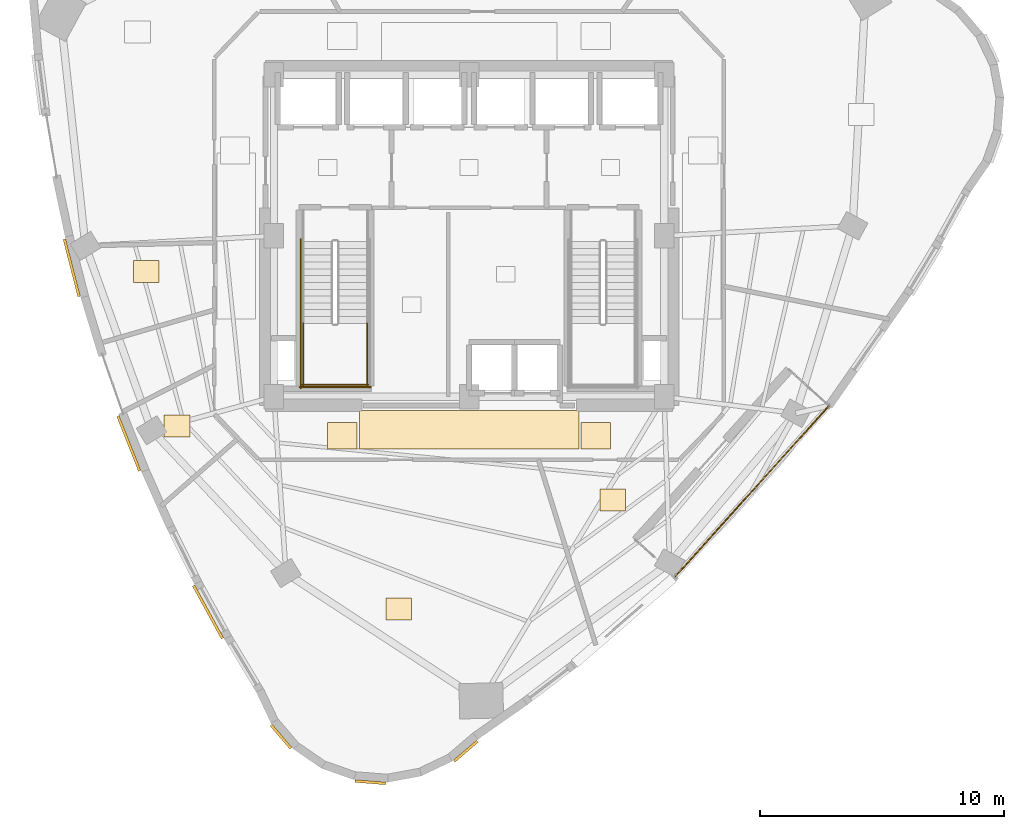
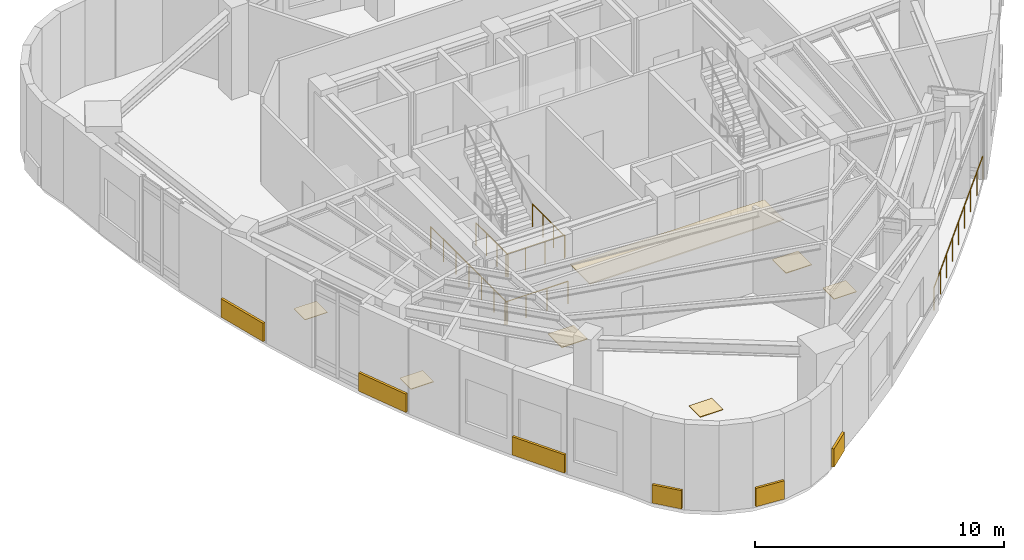
# One storey, part 16 of 18: 13 coverings, 6 railings.
"""IFC4 building model written with IfcOpenShell, lengths in metres."""

from ifc_helpers import new_model, si_unit, direction, frame, origin, origin_2d, place, context, subcontext, project, spatial, rectangle, circle, extrude, material, layer, layer_set, type_object, element, save


model = new_model("IFC4")

# Units and contexts
model_context = context("Model", 3, precision=1e-05, world=origin(), true_north=direction((0.0, 1.0)))
body_context = subcontext(model_context, "Body", "Model", "MODEL_VIEW")
ifc_project = project(units=[si_unit("LENGTHUNIT", "METRE"), si_unit("AREAUNIT", "SQUARE_METRE"), si_unit("VOLUMEUNIT", "CUBIC_METRE"), si_unit("PLANEANGLEUNIT", "RADIAN"), si_unit("MASSUNIT", "GRAM", prefix="KILO")], contexts=[model_context])

# Site, building, storey
site_placement = place(None, origin())
site = spatial("IfcSite", under=ifc_project, at=site_placement, CompositionType="ELEMENT")
building_placement = place(site_placement, origin())
building = spatial("IfcBuilding", under=site, at=building_placement, Name="Ndelora Gate Hotel", CompositionType="ELEMENT")
storey_placement = place(building_placement, frame((0.0, 0.0, 173.75)))
storey = spatial("IfcBuildingStorey", under=building, at=storey_placement, Name="L43", CompositionType="ELEMENT", Elevation=173.75)

# Coverings
ifc_material_1 = material(Name="Perforated Acoustic Gypsum Board", Category="gypsum")
ifc_layer_1 = layer(ifc_material_1, 0.054931640625)
ifc_layer_set_1 = layer_set([ifc_layer_1], Name="Perforated Acoustic Gypsum Board")
covering_type_1 = type_object("IfcCoveringType", Name="COV-CEIL-AC60", PredefinedType="CEILING", material=ifc_layer_set_1)
covering_1_placement = place(storey_placement, frame((0.0, -7.9599609375, 2.65234375), z_axis=(0.0, 0.0, 1.0), x_axis=(1.0, 0.0, 0.0)))
element("IfcCovering", 1, at=covering_1_placement, inside=storey, type_object=covering_type_1, Name="L43 Guest Corridor Acoustic Ceiling S", PredefinedType="CEILING", context=body_context, shape_type="SweptSolid", body=[
    extrude(rectangle(XDim=9.0, YDim=1.580078125, at=origin_2d()), origin(), (0.0, 0.0, 1.0), 0.054931640625),
])
ifc_material_2 = material(Name="Terracotta Fired Clay Brick Slip Cladding", Category="masonry")
ifc_layer_2 = layer(ifc_material_2, 0.110107421875)
ifc_layer_set_2 = layer_set([ifc_layer_2], Name="Terracotta Fired Clay Brick Slip Cladding")
covering_type_2 = type_object("IfcCoveringType", Name="COV-CLAD-BRK", PredefinedType="CLADDING", material=ifc_layer_set_2)
for number, where, z_axis, x_axis, name in (
    (2, (-16.292236328125, -1.311767578125, 0.10009765625), (0.0, 0.0, 1.0), (-0.248689887165, 0.968583161129, 0.0), "L43 Rounded-Corner Brick Cladding Band 13"),
    (3, (-13.951904296875, -8.51513671875, 0.10009765625), (0.0, 0.0, 1.0), (-0.368124552685, 0.929776485888, 0.0), "L43 Rounded-Corner Brick Cladding Band 16"),
):
    element("IfcCovering", number, at=place(storey_placement, frame(where, z_axis=z_axis, x_axis=x_axis)), inside=storey, type_object=covering_type_2, Name=name, PredefinedType="CLADDING", context=body_context, shape_type="SweptSolid", body=[
        extrude(rectangle(XDim=2.4208984375, YDim=0.110107421875, at=origin_2d()), origin(), (0.0, 0.0, 1.0), 0.89990234375),
    ])
covering_2_placement = place(storey_placement, frame((-10.70458984375, -15.42333984375, 0.10009765625), z_axis=(0.0, 0.0, 1.0), x_axis=(-0.480070399244, 0.877229965157, 0.0)))
element("IfcCovering", 4, at=covering_2_placement, inside=storey, type_object=covering_type_2, Name="L43 Rounded-Corner Brick Cladding Band 19", PredefinedType="CLADDING", context=body_context, shape_type="SweptSolid", body=[
    extrude(rectangle(XDim=2.4599609375, YDim=0.110107421875, at=origin_2d()), origin(), (0.0, 0.0, 1.0), 0.89990234375),
])
for number, where, z_axis, x_axis, name in (
    (5, (-7.7099609375, -20.53759765625, 0.10009765625), (0.0, 0.0, 1.0), (-0.64944804833, 0.7604059656, 0.0), "L43 Rounded-Corner Brick Cladding Band 22"),
    (6, (-4.045166015625, -22.40478515625, 0.10009765625), (0.0, 0.0, 1.0), (-0.996917333733, 0.078459095728, 0.0), "L43 Rounded-Corner Brick Cladding Band 25"),
    (7, (-0.13330078125, -21.1337890625, 0.10009765625), (0.0, 0.0, 1.0), (0.7604059656, 0.64944804833, 0.0), "L43 Rounded-Corner Brick Cladding Band 28"),
):
    element("IfcCovering", number, at=place(storey_placement, frame(where, z_axis=z_axis, x_axis=x_axis)), inside=storey, type_object=covering_type_2, Name=name, PredefinedType="CLADDING", context=body_context, shape_type="SweptSolid", body=[
        extrude(rectangle(XDim=1.257080078125, YDim=0.110107421875, at=origin_2d()), origin(), (0.0, 0.0, 1.0), 0.89990234375),
    ])
ifc_material_3 = material(Name="Engineered Highland Oak Parquet", Category="wood")
ifc_layer_3 = layer(ifc_material_3, 0.030029296875)
ifc_layer_set_3 = layer_set([ifc_layer_3], Name="Engineered Highland Oak Parquet")
covering_type_3 = type_object("IfcCoveringType", Name="COV-FLR-PARQ", PredefinedType="FLOORING", material=ifc_layer_set_3)
for number, where, z_axis, x_axis, name in (
    (8, (-2.88916015625, -15.29931640625, 0.0), (0.0, 0.0, 1.0), (1.0, 0.0, 0.0), "L43 Upper Sky Reception Salon Oak Parquet Flooring"),
    (9, (5.89013671875, -10.835693359375, 0.0), (0.0, 0.0, 1.0), (1.0, 0.0, 0.0), "L43 Sky Garden Tea Dining Room Oak Parquet Flooring"),
    (10, (-13.238037109375, -1.465576171875, 0.0), (0.0, 0.0, 1.0), (1.0, 0.0, 0.0), "L43 Male Public Restroom Oak Parquet Flooring"),
    (11, (-11.977783203125, -7.804443359375, 0.0), (0.0, 0.0, 1.0), (1.0, 0.0, 0.0), "L43 Accessible WC Oak Parquet Flooring"),
):
    element("IfcCovering", number, at=place(storey_placement, frame(where, z_axis=z_axis, x_axis=x_axis)), inside=storey, type_object=covering_type_3, Name=name, PredefinedType="FLOORING", context=body_context, shape_type="SweptSolid", body=[
        extrude(rectangle(XDim=1.050048828125, YDim=0.89990234375, at=origin_2d()), origin(), (0.0, 0.0, 1.0), 0.030029296875),
    ])
ifc_material_4 = material(Name="Polished Highland Stone Terrazzo", Category="masonry")
ifc_layer_4 = layer(ifc_material_4, 0.034912109375)
ifc_layer_set_4 = layer_set([ifc_layer_4], Name="Polished Highland Stone Terrazzo")
covering_type_4 = type_object("IfcCoveringType", Name="COV-FLR-TERZ", PredefinedType="FLOORING", material=ifc_layer_set_4)
for number, where, z_axis, x_axis, name in (
    (12, (-5.199951171875, -8.199951171875, 0.0), (0.0, 0.0, 1.0), (1.0, 0.0, 0.0), "L43 Corridor Threshold Terrazzo Inlay SW"),
    (13, (5.199951171875, -8.199951171875, 0.0), (0.0, 0.0, 1.0), (1.0, 0.0, 0.0), "L43 Corridor Threshold Terrazzo Inlay SE"),
):
    element("IfcCovering", number, at=place(storey_placement, frame(where, z_axis=z_axis, x_axis=x_axis)), inside=storey, type_object=covering_type_4, Name=name, PredefinedType="FLOORING", context=body_context, shape_type="SweptSolid", body=[
        extrude(rectangle(XDim=1.199951171875, YDim=1.10009765625, at=origin_2d()), origin(), (0.0, 0.0, 1.0), 0.034912109375),
    ])

# Railings
ifc_material_5 = material(Name="Laminated Safety Glass and Bronze Top Rail", Category="glass")
ifc_layer_5 = layer(ifc_material_5, 0.070068359375)
ifc_layer_set_5 = layer_set([ifc_layer_5], Name="Laminated Safety Glass and Bronze Top Rail")
railing_type_1 = type_object("IfcRailingType", Name="RL-BAL-1150", PredefinedType="BALUSTRADE", material=ifc_layer_set_5)
railing_1_placement = place(storey_placement, frame((8.470458984375, -13.951171875, 0.0)))
element("IfcRailing", 14, at=railing_1_placement, inside=storey, type_object=railing_type_1, Name="L43 Sky-Garden Loggia Terrace Balustrade", PredefinedType="BALUSTRADE", context=body_context, shape_type="SweptSolid", body=[
    extrude(circle(Radius=0.02392578125, at=origin_2d()), frame((0.0, 0.0, 1.1357421875), z_axis=(0.669139779012, 0.743136566281, 0.0), x_axis=(-0.743136566281, 0.669139779012, 0.0)), (0.0, 0.0, 1.0), 9.39990234375),
    extrude(circle(Radius=0.02099609375, at=origin_2d()), origin(), (0.0, 0.0, 1.0), 1.11181640625),
    extrude(circle(Radius=0.02099609375, at=origin_2d()), frame((0.7861328125, 0.873046875, 0.0)), (0.0, 0.0, 1.0), 1.11181640625),
    extrude(circle(Radius=0.02099609375, at=origin_2d()), frame((1.572509765625, 1.746337890625, 0.0)), (0.0, 0.0, 1.0), 1.11181640625),
    extrude(circle(Radius=0.02099609375, at=origin_2d()), frame((2.358642578125, 2.61962890625, 0.0)), (0.0, 0.0, 1.0), 1.11181640625),
    extrude(circle(Radius=0.02099609375, at=origin_2d()), frame((3.14501953125, 3.49267578125, 0.0)), (0.0, 0.0, 1.0), 1.11181640625),
    extrude(circle(Radius=0.02099609375, at=origin_2d()), frame((3.93115234375, 4.36572265625, 0.0)), (0.0, 0.0, 1.0), 1.11181640625),
    extrude(circle(Radius=0.02099609375, at=origin_2d()), frame((4.71728515625, 5.239013671875, 0.0)), (0.0, 0.0, 1.0), 1.11181640625),
    extrude(circle(Radius=0.02099609375, at=origin_2d()), frame((5.503662109375, 6.1123046875, 0.0)), (0.0, 0.0, 1.0), 1.11181640625),
    extrude(circle(Radius=0.02099609375, at=origin_2d()), frame((6.289794921875, 6.9853515625, 0.0)), (0.0, 0.0, 1.0), 1.11181640625),
])
ifc_material_6 = material(Name="Painted Galvanized Steel Balustrade", Category="steel")
ifc_layer_6 = layer(ifc_material_6, 0.06005859375)
ifc_layer_set_6 = layer_set([ifc_layer_6], Name="Painted Galvanized Steel Balustrade")
railing_type_2 = type_object("IfcRailingType", Name="RL-STAIR-GD", PredefinedType="GUARDRAIL", material=ifc_layer_set_6)
for number, where, name in (
    (15, (-6.800048828125, -3.590087890625, 2.25), "L43 ST4 stair guard 3"),
    (16, (-4.179931640625, -3.590087890625, 2.25), "L43 ST4 stair guard 4"),
):
    element("IfcRailing", number, at=place(storey_placement, frame(where)), inside=storey, type_object=railing_type_2, Name=name, PredefinedType="GUARDRAIL", context=body_context, shape_type="SweptSolid", body=[
        extrude(circle(Radius=0.02392578125, at=origin_2d()), frame((0.0, 0.0, 1.10595703125), z_axis=(0.0, -1.0, 0.0), x_axis=(1.0, 0.0, 0.0)), (0.0, 0.0, 1.0), 2.559814453125),
        extrude(circle(Radius=0.02099609375, at=origin_2d()), origin(), (0.0, 0.0, 1.0), 1.081787109375),
        extrude(circle(Radius=0.02099609375, at=origin_2d()), frame((0.0, -0.853271484375, 0.0)), (0.0, 0.0, 1.0), 1.081787109375),
        extrude(circle(Radius=0.02099609375, at=origin_2d()), frame((0.0, -1.70654296875, 0.0)), (0.0, 0.0, 1.0), 1.081787109375),
        extrude(circle(Radius=0.02099609375, at=origin_2d()), frame((0.0, -2.559814453125, 0.0)), (0.0, 0.0, 1.0), 1.081787109375),
    ])
railing_2_placement = place(storey_placement, frame((-6.85009765625, -6.10009765625, 2.25)))
element("IfcRailing", 17, at=railing_2_placement, inside=storey, type_object=railing_type_2, Name="L43 ST4 stair guard 5", PredefinedType="GUARDRAIL", context=body_context, shape_type="SweptSolid", body=[
    extrude(circle(Radius=0.02392578125, at=origin_2d()), frame((0.0, 0.0, 1.10595703125), z_axis=(1.0, 0.0, 0.0), x_axis=(0.0, 1.0, 0.0)), (0.0, 0.0, 1.0), 2.72021484375),
    extrude(circle(Radius=0.02099609375, at=origin_2d()), origin(), (0.0, 0.0, 1.0), 1.081787109375),
    extrude(circle(Radius=0.02099609375, at=origin_2d()), frame((0.90673828125, 0.0, 0.0)), (0.0, 0.0, 1.0), 1.081787109375),
    extrude(circle(Radius=0.02099609375, at=origin_2d()), frame((1.8134765625, 0.0, 0.0)), (0.0, 0.0, 1.0), 1.081787109375),
    extrude(circle(Radius=0.02099609375, at=origin_2d()), frame((2.72021484375, 0.0, 0.0)), (0.0, 0.0, 1.0), 1.081787109375),
])
railing_3_placement = place(storey_placement, frame((-6.89990234375, -0.1298828125, 0.0)))
element("IfcRailing", 18, at=railing_3_placement, inside=storey, type_object=railing_type_2, Name="L43 ST4 stair guard 10", PredefinedType="GUARDRAIL", context=body_context, shape_type="SweptSolid", body=[
    extrude(circle(Radius=0.02392578125, at=origin_2d()), frame((0.0, 0.0, 1.10595703125), z_axis=(0.0, -1.0, 0.0), x_axis=(1.0, 0.0, 0.0)), (0.0, 0.0, 1.0), 6.1201171875),
    extrude(circle(Radius=0.02099609375, at=origin_2d()), origin(), (0.0, 0.0, 1.0), 1.081787109375),
    extrude(circle(Radius=0.02099609375, at=origin_2d()), frame((0.0, -1.02001953125, 0.0)), (0.0, 0.0, 1.0), 1.081787109375),
    extrude(circle(Radius=0.02099609375, at=origin_2d()), frame((0.0, -2.0400390625, 0.0)), (0.0, 0.0, 1.0), 1.081787109375),
    extrude(circle(Radius=0.02099609375, at=origin_2d()), frame((0.0, -3.06005859375, 0.0)), (0.0, 0.0, 1.0), 1.081787109375),
    extrude(circle(Radius=0.02099609375, at=origin_2d()), frame((0.0, -4.080078125, 0.0)), (0.0, 0.0, 1.0), 1.081787109375),
    extrude(circle(Radius=0.02099609375, at=origin_2d()), frame((0.0, -5.10009765625, 0.0)), (0.0, 0.0, 1.0), 1.081787109375),
    extrude(circle(Radius=0.02099609375, at=origin_2d()), frame((0.0, -6.1201171875, 0.0)), (0.0, 0.0, 1.0), 1.081787109375),
])
railing_4_placement = place(storey_placement, frame((-6.949951171875, -6.199951171875, 0.0)))
element("IfcRailing", 19, at=railing_4_placement, inside=storey, type_object=railing_type_2, Name="L43 ST4 stair guard 12", PredefinedType="GUARDRAIL", context=body_context, shape_type="SweptSolid", body=[
    extrude(circle(Radius=0.02392578125, at=origin_2d()), frame((0.0, 0.0, 1.10595703125), z_axis=(1.0, 0.0, 0.0), x_axis=(0.0, 1.0, 0.0)), (0.0, 0.0, 1.0), 2.919921875),
    extrude(circle(Radius=0.02099609375, at=origin_2d()), origin(), (0.0, 0.0, 1.0), 1.081787109375),
    extrude(circle(Radius=0.02099609375, at=origin_2d()), frame((0.973388671875, 0.0, 0.0)), (0.0, 0.0, 1.0), 1.081787109375),
    extrude(circle(Radius=0.02099609375, at=origin_2d()), frame((1.946533203125, 0.0, 0.0)), (0.0, 0.0, 1.0), 1.081787109375),
    extrude(circle(Radius=0.02099609375, at=origin_2d()), frame((2.919921875, 0.0, 0.0)), (0.0, 0.0, 1.0), 1.081787109375),
])

save(model, "model.ifc")
